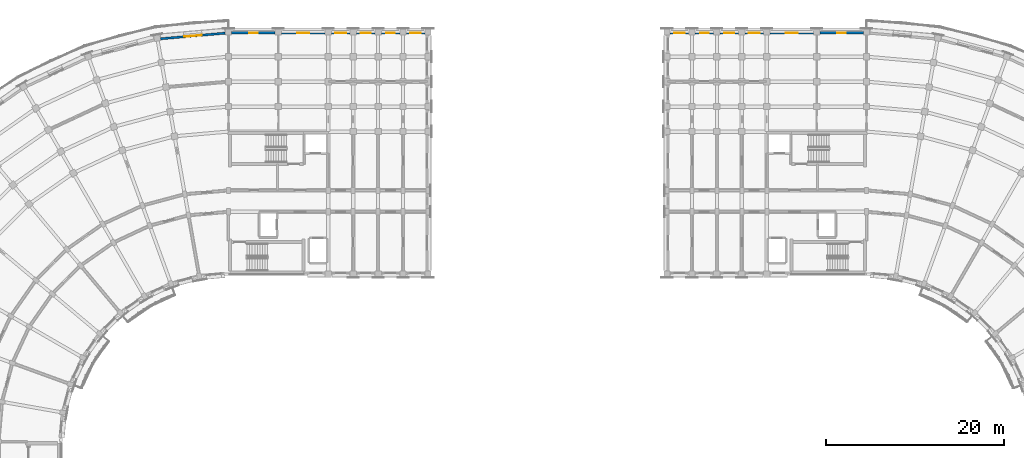
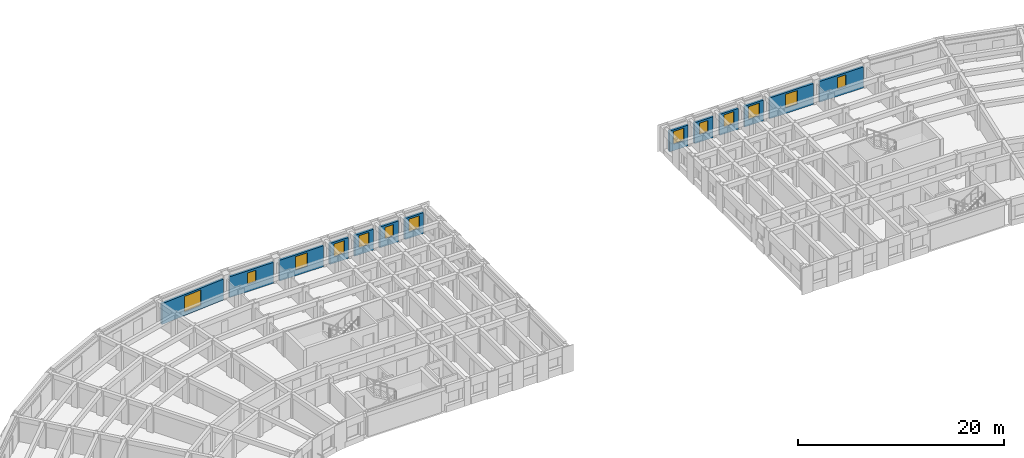
# One storey, part 37 of 57: 13 walls, 13 windows, 13 openings.
"""IFC4 building model written with IfcOpenShell, lengths in metres."""

from ifc_helpers import new_model, si_unit, direction, frame, frame_2d, origin, place, context, subcontext, project, spatial, rectangle, extrude, material, layer, layer_set, type_object, element, fill, save


model = new_model("IFC4")

# Units and contexts
model_context = context("Model", 3, precision=1e-05, world=origin(), true_north=direction((0.0, 1.0)))
body_context = subcontext(model_context, "Body", "Model", "MODEL_VIEW")
ifc_project = project(units=[si_unit("LENGTHUNIT", "METRE"), si_unit("AREAUNIT", "SQUARE_METRE"), si_unit("VOLUMEUNIT", "CUBIC_METRE"), si_unit("PLANEANGLEUNIT", "RADIAN"), si_unit("MASSUNIT", "GRAM", prefix="KILO")], contexts=[model_context])

# Site, building, storey
site_placement = place(None, origin())
site = spatial("IfcSite", under=ifc_project, at=site_placement, CompositionType="ELEMENT")
building_placement = place(site_placement, origin())
building = spatial("IfcBuilding", under=site, at=building_placement, Name="Kiranvali Square Residences", CompositionType="ELEMENT")
storey_placement = place(building_placement, frame((0.0, 0.0, 21.300048828125)))
storey = spatial("IfcBuildingStorey", under=building, at=storey_placement, Name="L06", CompositionType="ELEMENT", Elevation=21.300048828125)

# Wall, opening, window
ifc_material_1 = material(Name="Breathable lime-rendered clay brick masonry", Category="masonry")
ifc_layer = layer(ifc_material_1, 0.25)
ifc_layer_set = layer_set([ifc_layer], Name="Breathable lime-rendered clay brick masonry")
wall_type = type_object("IfcWallType", Name="WL-EXT-250", PredefinedType="STANDARD", material=ifc_layer_set)
wall_1_placement = place(storey_placement, frame((47.83642578125, 133.642822265625, 0.0), z_axis=(0.0, 0.0, 1.0), x_axis=(-0.99619214922, -0.08718487158, 0.0)))
wall_1 = element("IfcWall", 1, at=wall_1_placement, inside=storey, type_object=wall_type, Name="L06 exterior wall A-L06-CRV-00", PredefinedType="STANDARD", context=body_context, shape_type="SweptSolid", body=[
    extrude(rectangle(XDim=7.2666015625, YDim=0.25, at=frame_2d((3.63330078125, 0.0))), origin(), (0.0, 0.0, 1.0), 2.471923828125),
])
opening_1_placement = place(wall_1_placement, frame((2.658203125, 0.0, 0.422119140625)))
opening_1 = element("IfcOpeningElement", 2, at=opening_1_placement, cuts=wall_1, Name="Opening W-12", PredefinedType="OPENING", context=body_context, shape_type="SweptSolid", body=[
    extrude(rectangle(XDim=1.949951171875, YDim=1.85009765625, at=frame_2d((0.97509765625, 0.925048828125))), frame((0.0, 0.135009765625, 0.0), z_axis=(0.0, -1.0, 0.0), x_axis=(1.0, 0.0, 0.0)), (0.0, 0.0, 1.0), 0.27001953125),
])
ifc_material_2 = material(Name="Solar-control low-e double glazing", Category="glass")
window_type_1 = type_object("IfcWindowType", Name="WIN-RES-1950x1850", PartitioningType="DOUBLE_PANEL_VERTICAL", PredefinedType="WINDOW", material=ifc_material_2)
window_1_placement = place(opening_1_placement, origin())
window_1 = element("IfcWindow", 3, at=window_1_placement, inside=storey, type_object=window_type_1, Name="L06 recessed window A-L06-CRV-00", OverallHeight=1.85009765625, OverallWidth=1.949951171875, PartitioningType="DOUBLE_PANEL_VERTICAL", PredefinedType="WINDOW", context=body_context, shape_type="SweptSolid", body=[
    extrude(rectangle(XDim=1.949951171875, YDim=1.85009765625, at=frame_2d((0.97509765625, 0.925048828125))), frame((0.0, 0.030029296875, 0.0), z_axis=(0.0, -1.0, 0.0), x_axis=(1.0, 0.0, 0.0)), (0.0, 0.0, 1.0), 0.06005859375),
])
fill(opening_1, window_1)

wall_2_placement = place(storey_placement, frame((48.553466796875, 133.675048828125, 0.0), z_axis=(0.0, 0.0, 1.0), x_axis=(1.0, 0.0, 0.0)))
wall_2 = element("IfcWall", 4, at=wall_2_placement, inside=storey, type_object=wall_type, Name="L06 exterior wall A-L06-A1O-0", PredefinedType="STANDARD", context=body_context, shape_type="SweptSolid", body=[
    extrude(rectangle(XDim=4.89306640625, YDim=0.25, at=frame_2d((2.446533203125, 0.0))), origin(), (0.0, 0.0, 1.0), 2.471923828125),
])
opening_2_placement = place(wall_2_placement, frame((1.971435546875, 0.0, 0.8798828125)))
opening_2 = element("IfcOpeningElement", 5, at=opening_2_placement, cuts=wall_2, Name="Opening W-16", PredefinedType="OPENING", context=body_context, shape_type="SweptSolid", body=[
    extrude(rectangle(XDim=0.949951171875, YDim=1.35009765625, at=frame_2d((0.47509765625, 0.675048828125))), frame((0.0, 0.135009765625, 0.0), z_axis=(0.0, -1.0, 0.0), x_axis=(1.0, 0.0, 0.0)), (0.0, 0.0, 1.0), 0.27001953125),
])
window_type_2 = type_object("IfcWindowType", Name="WIN-RES-950x1350", PartitioningType="SINGLE_PANEL", PredefinedType="WINDOW", material=ifc_material_2)
window_2_placement = place(opening_2_placement, origin())
window_2 = element("IfcWindow", 6, at=window_2_placement, inside=storey, type_object=window_type_2, Name="L06 recessed window A-L06-A1O-0", OverallHeight=1.35009765625, OverallWidth=0.949951171875, PartitioningType="SINGLE_PANEL", PredefinedType="WINDOW", context=body_context, shape_type="SweptSolid", body=[
    extrude(rectangle(XDim=0.949951171875, YDim=1.35009765625, at=frame_2d((0.47509765625, 0.675048828125))), frame((0.0, 0.030029296875, 0.0), z_axis=(0.0, -1.0, 0.0), x_axis=(1.0, 0.0, 0.0)), (0.0, 0.0, 1.0), 0.06005859375),
])
fill(opening_2, window_2)

wall_3_placement = place(storey_placement, frame((54.153564453125, 133.675048828125, 0.0), z_axis=(0.0, 0.0, 1.0), x_axis=(1.0, 0.0, 0.0)))
wall_3 = element("IfcWall", 7, at=wall_3_placement, inside=storey, type_object=wall_type, Name="L06 exterior wall A-L06-A1O-1", PredefinedType="STANDARD", context=body_context, shape_type="SweptSolid", body=[
    extrude(rectangle(XDim=4.892822265625, YDim=0.25, at=frame_2d((2.4462890625, 0.0))), origin(), (0.0, 0.0, 1.0), 2.471923828125),
])
opening_3_placement = place(wall_3_placement, frame((1.771484375, 0.0, 0.672119140625)))
opening_3 = element("IfcOpeningElement", 8, at=opening_3_placement, cuts=wall_3, Name="Opening W-14", PredefinedType="OPENING", context=body_context, shape_type="SweptSolid", body=[
    extrude(rectangle(XDim=1.35009765625, YDim=1.60009765625, at=frame_2d((0.675048828125, 0.800048828125))), frame((0.0, 0.135009765625, 0.0), z_axis=(0.0, -1.0, 0.0), x_axis=(1.0, 0.0, 0.0)), (0.0, 0.0, 1.0), 0.27001953125),
])
window_type_3 = type_object("IfcWindowType", Name="WIN-RES-1350x1600", PartitioningType="DOUBLE_PANEL_VERTICAL", PredefinedType="WINDOW", material=ifc_material_2)
window_3_placement = place(opening_3_placement, origin())
window_3 = element("IfcWindow", 9, at=window_3_placement, inside=storey, type_object=window_type_3, Name="L06 recessed window A-L06-A1O-1", OverallHeight=1.60009765625, OverallWidth=1.35009765625, PartitioningType="DOUBLE_PANEL_VERTICAL", PredefinedType="WINDOW", context=body_context, shape_type="SweptSolid", body=[
    extrude(rectangle(XDim=1.35009765625, YDim=1.60009765625, at=frame_2d((0.675048828125, 0.800048828125))), frame((0.0, 0.030029296875, 0.0), z_axis=(0.0, -1.0, 0.0), x_axis=(1.0, 0.0, 0.0)), (0.0, 0.0, 1.0), 0.06005859375),
])
fill(opening_3, window_3)

wall_4_placement = place(storey_placement, frame((59.75341796875, 133.675048828125, 0.0), z_axis=(0.0, 0.0, 1.0), x_axis=(1.0, 0.0, 0.0)))
wall_4 = element("IfcWall", 10, at=wall_4_placement, inside=storey, type_object=wall_type, Name="L06 exterior wall A-L06-A1O-2", PredefinedType="STANDARD", context=body_context, shape_type="SweptSolid", body=[
    extrude(rectangle(XDim=2.093017578125, YDim=0.25, at=frame_2d((1.04638671875, 0.0))), origin(), (0.0, 0.0, 1.0), 2.471923828125),
])
opening_4_placement = place(wall_4_placement, frame((0.446533203125, 0.0, 0.77197265625)))
opening_4 = element("IfcOpeningElement", 11, at=opening_4_placement, cuts=wall_4, Name="Opening W-06", PredefinedType="OPENING", context=body_context, shape_type="SweptSolid", body=[
    extrude(rectangle(XDim=1.199951171875, YDim=1.5, at=frame_2d((0.60009765625, 0.75))), frame((0.0, 0.135009765625, 0.0), z_axis=(0.0, -1.0, 0.0), x_axis=(1.0, 0.0, 0.0)), (0.0, 0.0, 1.0), 0.27001953125),
])
window_type_4 = type_object("IfcWindowType", Name="WIN-RES-1200x1500", PartitioningType="SINGLE_PANEL", PredefinedType="WINDOW", material=ifc_material_2)
window_4_placement = place(opening_4_placement, origin())
window_4 = element("IfcWindow", 12, at=window_4_placement, inside=storey, type_object=window_type_4, Name="L06 recessed window A-L06-A1O-2", OverallHeight=1.5, OverallWidth=1.199951171875, PartitioningType="SINGLE_PANEL", PredefinedType="WINDOW", context=body_context, shape_type="SweptSolid", body=[
    extrude(rectangle(XDim=1.199951171875, YDim=1.5, at=frame_2d((0.60009765625, 0.75))), frame((0.0, 0.030029296875, 0.0), z_axis=(0.0, -1.0, 0.0), x_axis=(1.0, 0.0, 0.0)), (0.0, 0.0, 1.0), 0.06005859375),
])
fill(opening_4, window_4)

wall_5_placement = place(storey_placement, frame((62.553466796875, 133.675048828125, 0.0), z_axis=(0.0, 0.0, 1.0), x_axis=(1.0, 0.0, 0.0)))
wall_5 = element("IfcWall", 13, at=wall_5_placement, inside=storey, type_object=wall_type, Name="L06 exterior wall A-L06-A1O-3", PredefinedType="STANDARD", context=body_context, shape_type="SweptSolid", body=[
    extrude(rectangle(XDim=2.093017578125, YDim=0.25, at=frame_2d((1.04638671875, 0.0))), origin(), (0.0, 0.0, 1.0), 2.471923828125),
])
opening_5_placement = place(wall_5_placement, frame((0.49658203125, 0.0, 0.822021484375)))
opening_5 = element("IfcOpeningElement", 14, at=opening_5_placement, cuts=wall_5, Name="Opening W-15", PredefinedType="OPENING", context=body_context, shape_type="SweptSolid", body=[
    extrude(rectangle(XDim=1.10009765625, YDim=1.449951171875, at=frame_2d((0.550048828125, 0.72509765625))), frame((0.0, 0.135009765625, 0.0), z_axis=(0.0, -1.0, 0.0), x_axis=(1.0, 0.0, 0.0)), (0.0, 0.0, 1.0), 0.27001953125),
])
window_type_5 = type_object("IfcWindowType", Name="WIN-RES-1100x1450", PartitioningType="SINGLE_PANEL", PredefinedType="WINDOW", material=ifc_material_2)
window_5_placement = place(opening_5_placement, origin())
window_5 = element("IfcWindow", 15, at=window_5_placement, inside=storey, type_object=window_type_5, Name="L06 recessed window A-L06-A1O-3", OverallHeight=1.449951171875, OverallWidth=1.10009765625, PartitioningType="SINGLE_PANEL", PredefinedType="WINDOW", context=body_context, shape_type="SweptSolid", body=[
    extrude(rectangle(XDim=1.10009765625, YDim=1.449951171875, at=frame_2d((0.550048828125, 0.72509765625))), frame((0.0, 0.030029296875, 0.0), z_axis=(0.0, -1.0, 0.0), x_axis=(1.0, 0.0, 0.0)), (0.0, 0.0, 1.0), 0.06005859375),
])
fill(opening_5, window_5)

wall_6_placement = place(storey_placement, frame((65.353515625, 133.675048828125, 0.0), z_axis=(0.0, 0.0, 1.0), x_axis=(1.0, 0.0, 0.0)))
wall_6 = element("IfcWall", 16, at=wall_6_placement, inside=storey, type_object=wall_type, Name="L06 exterior wall A-L06-A1O-4", PredefinedType="STANDARD", context=body_context, shape_type="SweptSolid", body=[
    extrude(rectangle(XDim=2.093017578125, YDim=0.25, at=frame_2d((1.04638671875, 0.0))), origin(), (0.0, 0.0, 1.0), 2.471923828125),
])
opening_6_placement = place(wall_6_placement, frame((0.571533203125, 0.0, 0.8798828125)))
opening_6 = element("IfcOpeningElement", 17, at=opening_6_placement, cuts=wall_6, Name="Opening W-16", PredefinedType="OPENING", context=body_context, shape_type="SweptSolid", body=[
    extrude(rectangle(XDim=0.949951171875, YDim=1.35009765625, at=frame_2d((0.47509765625, 0.675048828125))), frame((0.0, 0.135009765625, 0.0), z_axis=(0.0, -1.0, 0.0), x_axis=(1.0, 0.0, 0.0)), (0.0, 0.0, 1.0), 0.27001953125),
])
window_6_placement = place(opening_6_placement, origin())
window_6 = element("IfcWindow", 18, at=window_6_placement, inside=storey, type_object=window_type_2, Name="L06 recessed window A-L06-A1O-4", OverallHeight=1.35009765625, OverallWidth=0.949951171875, PartitioningType="SINGLE_PANEL", PredefinedType="WINDOW", context=body_context, shape_type="SweptSolid", body=[
    extrude(rectangle(XDim=0.949951171875, YDim=1.35009765625, at=frame_2d((0.47509765625, 0.675048828125))), frame((0.0, 0.030029296875, 0.0), z_axis=(0.0, -1.0, 0.0), x_axis=(1.0, 0.0, 0.0)), (0.0, 0.0, 1.0), 0.06005859375),
])
fill(opening_6, window_6)

wall_7_placement = place(storey_placement, frame((68.153564453125, 133.675048828125, 0.0), z_axis=(0.0, 0.0, 1.0), x_axis=(1.0, 0.0, 0.0)))
wall_7 = element("IfcWall", 19, at=wall_7_placement, inside=storey, type_object=wall_type, Name="L06 exterior wall A-L06-A1O-5", PredefinedType="STANDARD", context=body_context, shape_type="SweptSolid", body=[
    extrude(rectangle(XDim=2.093017578125, YDim=0.25, at=frame_2d((1.04638671875, 0.0))), origin(), (0.0, 0.0, 1.0), 2.471923828125),
])
opening_7_placement = place(wall_7_placement, frame((0.446533203125, 0.0, 0.77197265625)))
opening_7 = element("IfcOpeningElement", 20, at=opening_7_placement, cuts=wall_7, Name="Opening W-06", PredefinedType="OPENING", context=body_context, shape_type="SweptSolid", body=[
    extrude(rectangle(XDim=1.199951171875, YDim=1.5, at=frame_2d((0.60009765625, 0.75))), frame((0.0, 0.135009765625, 0.0), z_axis=(0.0, -1.0, 0.0), x_axis=(1.0, 0.0, 0.0)), (0.0, 0.0, 1.0), 0.27001953125),
])
window_7_placement = place(opening_7_placement, origin())
window_7 = element("IfcWindow", 21, at=window_7_placement, inside=storey, type_object=window_type_4, Name="L06 recessed window A-L06-A1O-5", OverallHeight=1.5, OverallWidth=1.199951171875, PartitioningType="SINGLE_PANEL", PredefinedType="WINDOW", context=body_context, shape_type="SweptSolid", body=[
    extrude(rectangle(XDim=1.199951171875, YDim=1.5, at=frame_2d((0.60009765625, 0.75))), frame((0.0, 0.030029296875, 0.0), z_axis=(0.0, -1.0, 0.0), x_axis=(1.0, 0.0, 0.0)), (0.0, 0.0, 1.0), 0.06005859375),
])
fill(opening_7, window_7)

wall_8_placement = place(storey_placement, frame((119.446533203125, 133.675048828125, 0.0), z_axis=(0.0, 0.0, 1.0), x_axis=(-1.0, 0.0, 0.0)))
wall_8 = element("IfcWall", 22, at=wall_8_placement, inside=storey, type_object=wall_type, Name="L06 exterior wall B-L06-A1O-0", PredefinedType="STANDARD", context=body_context, shape_type="SweptSolid", body=[
    extrude(rectangle(XDim=4.89306640625, YDim=0.25, at=frame_2d((2.446533203125, 0.0))), origin(), (0.0, 0.0, 1.0), 2.471923828125),
])
opening_8_placement = place(wall_8_placement, frame((1.971435546875, 0.0, 0.8798828125)))
opening_8 = element("IfcOpeningElement", 23, at=opening_8_placement, cuts=wall_8, Name="Opening W-16", PredefinedType="OPENING", context=body_context, shape_type="SweptSolid", body=[
    extrude(rectangle(XDim=0.949951171875, YDim=1.35009765625, at=frame_2d((0.47509765625, 0.675048828125))), frame((0.0, 0.135009765625, 0.0), z_axis=(0.0, -1.0, 0.0), x_axis=(1.0, 0.0, 0.0)), (0.0, 0.0, 1.0), 0.27001953125),
])
window_8_placement = place(opening_8_placement, origin())
window_8 = element("IfcWindow", 24, at=window_8_placement, inside=storey, type_object=window_type_2, Name="L06 recessed window B-L06-A1O-0", OverallHeight=1.35009765625, OverallWidth=0.949951171875, PartitioningType="SINGLE_PANEL", PredefinedType="WINDOW", context=body_context, shape_type="SweptSolid", body=[
    extrude(rectangle(XDim=0.949951171875, YDim=1.35009765625, at=frame_2d((0.47509765625, 0.675048828125))), frame((0.0, 0.030029296875, 0.0), z_axis=(0.0, -1.0, 0.0), x_axis=(1.0, 0.0, 0.0)), (0.0, 0.0, 1.0), 0.06005859375),
])
fill(opening_8, window_8)

wall_9_placement = place(storey_placement, frame((113.846435546875, 133.675048828125, 0.0), z_axis=(0.0, 0.0, 1.0), x_axis=(-1.0, 0.0, 0.0)))
wall_9 = element("IfcWall", 25, at=wall_9_placement, inside=storey, type_object=wall_type, Name="L06 exterior wall B-L06-A1O-1", PredefinedType="STANDARD", context=body_context, shape_type="SweptSolid", body=[
    extrude(rectangle(XDim=4.892822265625, YDim=0.25, at=frame_2d((2.4462890625, 0.0))), origin(), (0.0, 0.0, 1.0), 2.471923828125),
])
opening_9_placement = place(wall_9_placement, frame((1.771484375, 0.0, 0.672119140625)))
opening_9 = element("IfcOpeningElement", 26, at=opening_9_placement, cuts=wall_9, Name="Opening W-14", PredefinedType="OPENING", context=body_context, shape_type="SweptSolid", body=[
    extrude(rectangle(XDim=1.35009765625, YDim=1.60009765625, at=frame_2d((0.675048828125, 0.800048828125))), frame((0.0, 0.135009765625, 0.0), z_axis=(0.0, -1.0, 0.0), x_axis=(1.0, 0.0, 0.0)), (0.0, 0.0, 1.0), 0.27001953125),
])
window_9_placement = place(opening_9_placement, origin())
window_9 = element("IfcWindow", 27, at=window_9_placement, inside=storey, type_object=window_type_3, Name="L06 recessed window B-L06-A1O-1", OverallHeight=1.60009765625, OverallWidth=1.35009765625, PartitioningType="DOUBLE_PANEL_VERTICAL", PredefinedType="WINDOW", context=body_context, shape_type="SweptSolid", body=[
    extrude(rectangle(XDim=1.35009765625, YDim=1.60009765625, at=frame_2d((0.675048828125, 0.800048828125))), frame((0.0, 0.030029296875, 0.0), z_axis=(0.0, -1.0, 0.0), x_axis=(1.0, 0.0, 0.0)), (0.0, 0.0, 1.0), 0.06005859375),
])
fill(opening_9, window_9)

wall_10_placement = place(storey_placement, frame((108.24658203125, 133.675048828125, 0.0), z_axis=(0.0, 0.0, 1.0), x_axis=(-1.0, 0.0, 0.0)))
wall_10 = element("IfcWall", 28, at=wall_10_placement, inside=storey, type_object=wall_type, Name="L06 exterior wall B-L06-A1O-2", PredefinedType="STANDARD", context=body_context, shape_type="SweptSolid", body=[
    extrude(rectangle(XDim=2.093017578125, YDim=0.25, at=frame_2d((1.04638671875, 0.0))), origin(), (0.0, 0.0, 1.0), 2.471923828125),
])
opening_10_placement = place(wall_10_placement, frame((0.446533203125, 0.0, 0.77197265625)))
opening_10 = element("IfcOpeningElement", 29, at=opening_10_placement, cuts=wall_10, Name="Opening W-06", PredefinedType="OPENING", context=body_context, shape_type="SweptSolid", body=[
    extrude(rectangle(XDim=1.199951171875, YDim=1.5, at=frame_2d((0.60009765625, 0.75))), frame((0.0, 0.135009765625, 0.0), z_axis=(0.0, -1.0, 0.0), x_axis=(1.0, 0.0, 0.0)), (0.0, 0.0, 1.0), 0.27001953125),
])
window_10_placement = place(opening_10_placement, origin())
window_10 = element("IfcWindow", 30, at=window_10_placement, inside=storey, type_object=window_type_4, Name="L06 recessed window B-L06-A1O-2", OverallHeight=1.5, OverallWidth=1.199951171875, PartitioningType="SINGLE_PANEL", PredefinedType="WINDOW", context=body_context, shape_type="SweptSolid", body=[
    extrude(rectangle(XDim=1.199951171875, YDim=1.5, at=frame_2d((0.60009765625, 0.75))), frame((0.0, 0.030029296875, 0.0), z_axis=(0.0, -1.0, 0.0), x_axis=(1.0, 0.0, 0.0)), (0.0, 0.0, 1.0), 0.06005859375),
])
fill(opening_10, window_10)

wall_11_placement = place(storey_placement, frame((105.446533203125, 133.675048828125, 0.0), z_axis=(0.0, 0.0, 1.0), x_axis=(-1.0, 0.0, 0.0)))
wall_11 = element("IfcWall", 31, at=wall_11_placement, inside=storey, type_object=wall_type, Name="L06 exterior wall B-L06-A1O-3", PredefinedType="STANDARD", context=body_context, shape_type="SweptSolid", body=[
    extrude(rectangle(XDim=2.093017578125, YDim=0.25, at=frame_2d((1.04638671875, 0.0))), origin(), (0.0, 0.0, 1.0), 2.471923828125),
])
opening_11_placement = place(wall_11_placement, frame((0.49658203125, 0.0, 0.822021484375)))
opening_11 = element("IfcOpeningElement", 32, at=opening_11_placement, cuts=wall_11, Name="Opening W-15", PredefinedType="OPENING", context=body_context, shape_type="SweptSolid", body=[
    extrude(rectangle(XDim=1.10009765625, YDim=1.449951171875, at=frame_2d((0.550048828125, 0.72509765625))), frame((0.0, 0.135009765625, 0.0), z_axis=(0.0, -1.0, 0.0), x_axis=(1.0, 0.0, 0.0)), (0.0, 0.0, 1.0), 0.27001953125),
])
window_11_placement = place(opening_11_placement, origin())
window_11 = element("IfcWindow", 33, at=window_11_placement, inside=storey, type_object=window_type_5, Name="L06 recessed window B-L06-A1O-3", OverallHeight=1.449951171875, OverallWidth=1.10009765625, PartitioningType="SINGLE_PANEL", PredefinedType="WINDOW", context=body_context, shape_type="SweptSolid", body=[
    extrude(rectangle(XDim=1.10009765625, YDim=1.449951171875, at=frame_2d((0.550048828125, 0.72509765625))), frame((0.0, 0.030029296875, 0.0), z_axis=(0.0, -1.0, 0.0), x_axis=(1.0, 0.0, 0.0)), (0.0, 0.0, 1.0), 0.06005859375),
])
fill(opening_11, window_11)

wall_12_placement = place(storey_placement, frame((102.646484375, 133.675048828125, 0.0), z_axis=(0.0, 0.0, 1.0), x_axis=(-1.0, 0.0, 0.0)))
wall_12 = element("IfcWall", 34, at=wall_12_placement, inside=storey, type_object=wall_type, Name="L06 exterior wall B-L06-A1O-4", PredefinedType="STANDARD", context=body_context, shape_type="SweptSolid", body=[
    extrude(rectangle(XDim=2.093017578125, YDim=0.25, at=frame_2d((1.04638671875, 0.0))), origin(), (0.0, 0.0, 1.0), 2.471923828125),
])
opening_12_placement = place(wall_12_placement, frame((0.571533203125, 0.0, 0.8798828125)))
opening_12 = element("IfcOpeningElement", 35, at=opening_12_placement, cuts=wall_12, Name="Opening W-16", PredefinedType="OPENING", context=body_context, shape_type="SweptSolid", body=[
    extrude(rectangle(XDim=0.949951171875, YDim=1.35009765625, at=frame_2d((0.47509765625, 0.675048828125))), frame((0.0, 0.135009765625, 0.0), z_axis=(0.0, -1.0, 0.0), x_axis=(1.0, 0.0, 0.0)), (0.0, 0.0, 1.0), 0.27001953125),
])
window_12_placement = place(opening_12_placement, origin())
window_12 = element("IfcWindow", 36, at=window_12_placement, inside=storey, type_object=window_type_2, Name="L06 recessed window B-L06-A1O-4", OverallHeight=1.35009765625, OverallWidth=0.949951171875, PartitioningType="SINGLE_PANEL", PredefinedType="WINDOW", context=body_context, shape_type="SweptSolid", body=[
    extrude(rectangle(XDim=0.949951171875, YDim=1.35009765625, at=frame_2d((0.47509765625, 0.675048828125))), frame((0.0, 0.030029296875, 0.0), z_axis=(0.0, -1.0, 0.0), x_axis=(1.0, 0.0, 0.0)), (0.0, 0.0, 1.0), 0.06005859375),
])
fill(opening_12, window_12)

wall_13_placement = place(storey_placement, frame((99.846435546875, 133.675048828125, 0.0), z_axis=(0.0, 0.0, 1.0), x_axis=(-1.0, 0.0, 0.0)))
wall_13 = element("IfcWall", 37, at=wall_13_placement, inside=storey, type_object=wall_type, Name="L06 exterior wall B-L06-A1O-5", PredefinedType="STANDARD", context=body_context, shape_type="SweptSolid", body=[
    extrude(rectangle(XDim=2.093017578125, YDim=0.25, at=frame_2d((1.04638671875, 0.0))), origin(), (0.0, 0.0, 1.0), 2.471923828125),
])
opening_13_placement = place(wall_13_placement, frame((0.446533203125, 0.0, 0.77197265625)))
opening_13 = element("IfcOpeningElement", 38, at=opening_13_placement, cuts=wall_13, Name="Opening W-06", PredefinedType="OPENING", context=body_context, shape_type="SweptSolid", body=[
    extrude(rectangle(XDim=1.199951171875, YDim=1.5, at=frame_2d((0.60009765625, 0.75))), frame((0.0, 0.135009765625, 0.0), z_axis=(0.0, -1.0, 0.0), x_axis=(1.0, 0.0, 0.0)), (0.0, 0.0, 1.0), 0.27001953125),
])
window_13_placement = place(opening_13_placement, origin())
window_13 = element("IfcWindow", 39, at=window_13_placement, inside=storey, type_object=window_type_4, Name="L06 recessed window B-L06-A1O-5", OverallHeight=1.5, OverallWidth=1.199951171875, PartitioningType="SINGLE_PANEL", PredefinedType="WINDOW", context=body_context, shape_type="SweptSolid", body=[
    extrude(rectangle(XDim=1.199951171875, YDim=1.5, at=frame_2d((0.60009765625, 0.75))), frame((0.0, 0.030029296875, 0.0), z_axis=(0.0, -1.0, 0.0), x_axis=(1.0, 0.0, 0.0)), (0.0, 0.0, 1.0), 0.06005859375),
])
fill(opening_13, window_13)

save(model, "model.ifc")
